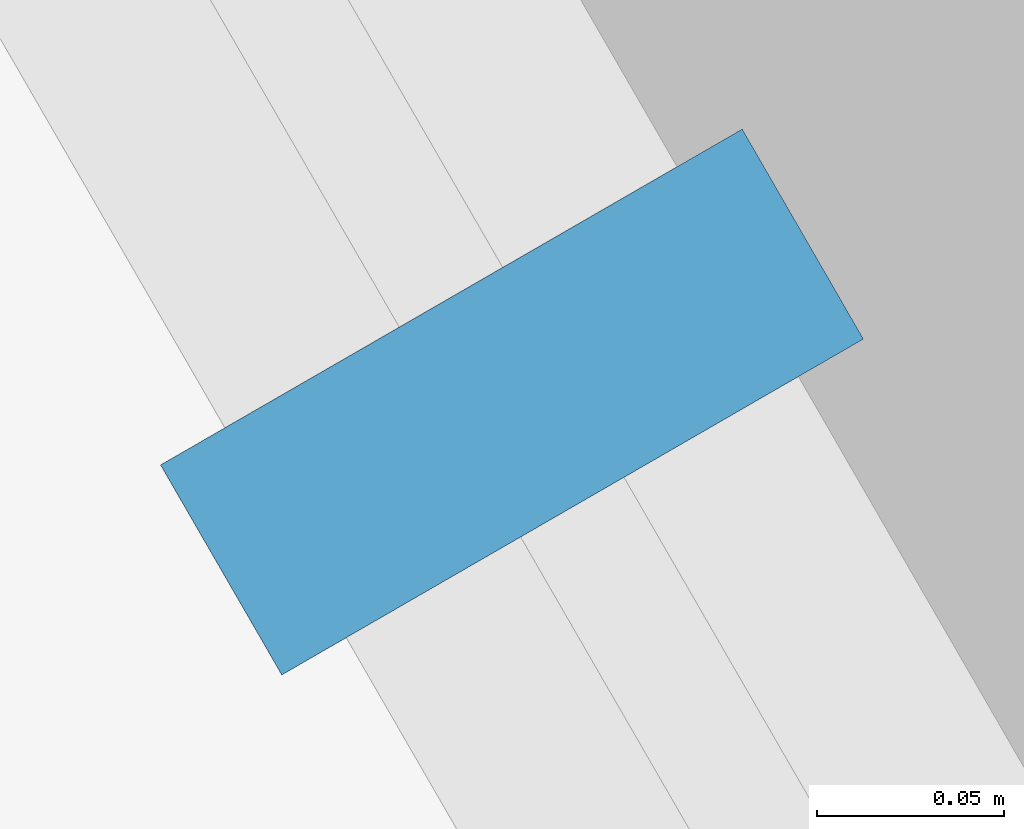
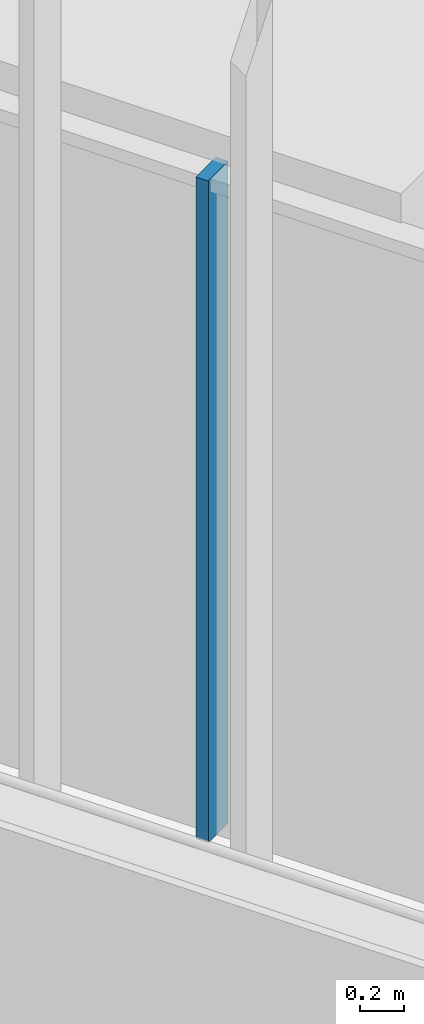
# One storey, part 4 of 238: 1 member, 1 element without a shape of its own.
"""IFC4 building model written with IfcOpenShell, lengths in metres."""

from ifc_helpers import new_model, si_unit, direction, frame, origin, origin_2d, place, context, subcontext, project, spatial, rectangle, extrude, material, material_profile, profile_set, type_object, element, aggregate, save


model = new_model("IFC4")

# Units and contexts
model_context = context("Model", 3, precision=1e-05, world=origin(), true_north=direction((0.0, 1.0)))
body_context = subcontext(model_context, "Body", "Model", "MODEL_VIEW")
ifc_project = project(units=[si_unit("LENGTHUNIT", "METRE"), si_unit("AREAUNIT", "SQUARE_METRE"), si_unit("VOLUMEUNIT", "CUBIC_METRE"), si_unit("PLANEANGLEUNIT", "RADIAN"), si_unit("MASSUNIT", "GRAM", prefix="KILO")], contexts=[model_context])

# Site, building, storey
site_placement = place(None, origin())
site = spatial("IfcSite", under=ifc_project, at=site_placement, CompositionType="ELEMENT")
building_placement = place(site_placement, origin())
building = spatial("IfcBuilding", under=site, at=building_placement, Name="Sandreach Pilgrim Tower", CompositionType="ELEMENT")
storey_placement = place(building_placement, frame((0.0, 0.0, 96.800048828125)))
storey = spatial("IfcBuildingStorey", under=building, at=storey_placement, Name="L23", CompositionType="ELEMENT", Elevation=96.800048828125)

# Curtain wall, member
ifc_material_1 = material(Name="Aluminium framed curtain wall", Category="aluminium")
curtain_wall_type = type_object("IfcCurtainWallType", Name="Hotel tower curtain wall", PredefinedType="NOTDEFINED", material=ifc_material_1)
curtain_wall_placement = place(storey_placement, origin())
curtain_wall = element("IfcCurtainWall", 1, at=curtain_wall_placement, inside=storey, type_object=curtain_wall_type, Name="CW-2 L23 SW", PredefinedType="NOTDEFINED")
ifc_material_2 = material(Name="Aluminium extrusion", Category="aluminium")
ifc_material_profile = material_profile(ifc_material_2, rectangle(XDim=0.06494140625, YDim=0.179931640625, at=origin_2d()), Name="CW-2M 65X180")
ifc_profile_set = profile_set([ifc_material_profile], Name="Aluminium extrusion")
member_type = type_object("IfcMemberType", Name="CW-2 mullion", PredefinedType="MULLION", material=ifc_profile_set)
member_placement = place(storey_placement, frame((-16.39990234375, -16.58203125, 0.0), z_axis=(0.0, 0.0, 1.0), x_axis=(-0.5, 0.866025403784, 0.0)))
member = element("IfcMember", 2, at=member_placement, type_object=member_type, Name="CW-2 mullion 4", PredefinedType="MULLION", context=body_context, shape_type="SweptSolid", body=[
    extrude(rectangle(XDim=0.06494140625, YDim=0.179931640625, at=origin_2d()), origin(), (0.0, 0.0, 1.0), 3.639892578125),
])
aggregate(curtain_wall, [member])

save(model, "model.ifc")
